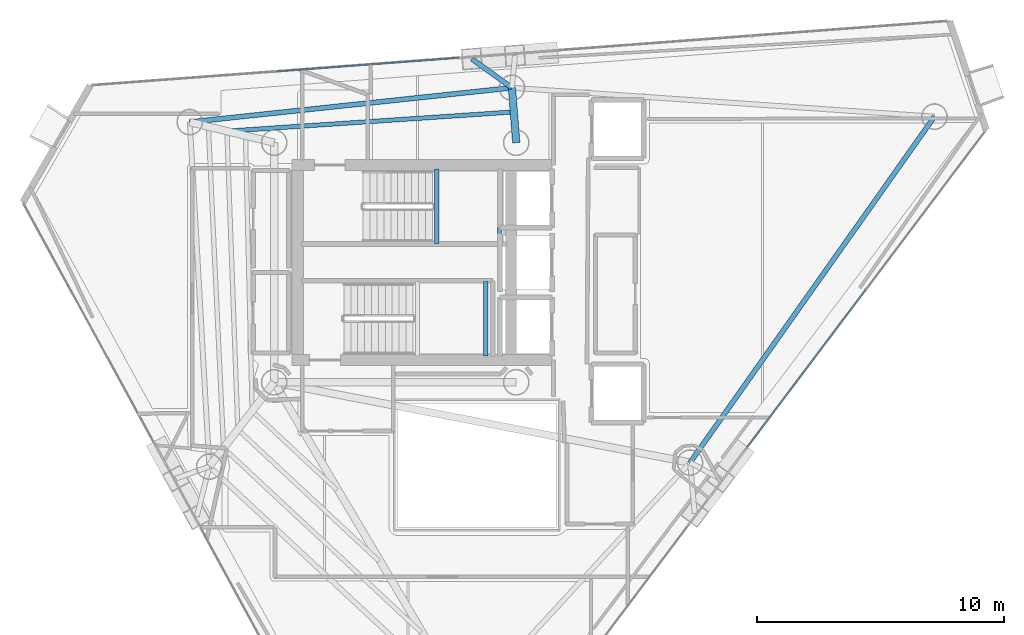
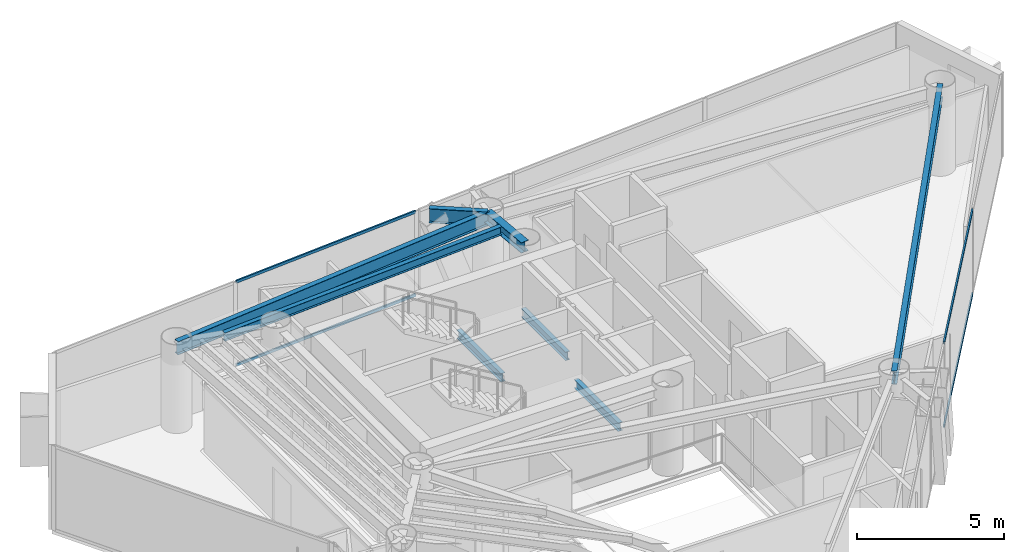
# One storey, part 9 of 19: 8 beams, 4 members, 2 elements without a shape of their own.
"""IFC4 building model written with IfcOpenShell, lengths in metres."""

from ifc_helpers import new_model, si_unit, direction, frame, origin, origin_2d, place, context, subcontext, project, spatial, hollow_rectangle, i_section, extrude, material, layer, layer_set, material_profile, profile_set, type_object, element, aggregate, save


model = new_model("IFC4")

# Units and contexts
model_context = context("Model", 3, precision=1e-05, world=origin(), true_north=direction((0.0, 1.0)))
body_context = subcontext(model_context, "Body", "Model", "MODEL_VIEW")
ifc_project = project(units=[si_unit("LENGTHUNIT", "METRE"), si_unit("AREAUNIT", "SQUARE_METRE"), si_unit("VOLUMEUNIT", "CUBIC_METRE"), si_unit("PLANEANGLEUNIT", "RADIAN"), si_unit("MASSUNIT", "GRAM", prefix="KILO")], contexts=[model_context])

# Site, building, storey
site_placement = place(None, origin())
site = spatial("IfcSite", under=ifc_project, at=site_placement, CompositionType="ELEMENT")
building_placement = place(site_placement, origin())
building = spatial("IfcBuilding", under=site, at=building_placement, Name="Qianvela Tower", CompositionType="ELEMENT")
storey_placement = place(building_placement, frame((0.0, 0.0, 268.60009765625)))
storey = spatial("IfcBuildingStorey", under=building, at=storey_placement, Name="L69", CompositionType="ELEMENT", Elevation=268.60009765625)

# Beams
ifc_material_1 = material(Name="Steel Q355B", Category="steel")
ifc_material_profile_1 = material_profile(ifc_material_1, i_section(OverallWidth=0.300048828125, OverallDepth=0.43994140625, WebThickness=0.010986328125, FlangeThickness=0.01806640625, at=origin_2d()), Name="HM440x300x11x18")
ifc_profile_set_1 = profile_set([ifc_material_profile_1], Name="Steel Q355B")
beam_type_1 = type_object("IfcBeamType", Name="BM-HM440-COLL", PredefinedType="BEAM", material=ifc_profile_set_1)
beam_1_placement = place(storey_placement, frame((38.39990234375, 33.550048828125, 3.2978515625), z_axis=(-0.078396085685, 0.996922290727, 0.0), x_axis=(-0.996922290727, -0.078396085685, 0.0)))
element("IfcBeam", 1, at=beam_1_placement, inside=storey, type_object=beam_type_1, Name="L69 Radial Primary Floor Girder 2", PredefinedType="BEAM", context=body_context, shape_type="SweptSolid", body=[
    extrude(i_section(OverallWidth=0.300048828125, OverallDepth=0.43994140625, WebThickness=0.010986328125, FlangeThickness=0.01806640625, at=origin_2d()), origin(), (0.0, 0.0, 1.0), 2.229736328125),
])
ifc_material_2 = material(Name="Steel Q355B", Category="steel")
ifc_material_profile_2 = material_profile(ifc_material_2, i_section(OverallWidth=0.175048828125, OverallDepth=0.35009765625, WebThickness=0.007080078125, FlangeThickness=0.010986328125, at=origin_2d()), Name="HN350x175x7x11")
ifc_profile_set_2 = profile_set([ifc_material_profile_2], Name="Steel Q355B")
beam_type_2 = type_object("IfcBeamType", Name="BM-HN350-JOIST", PredefinedType="JOIST", material=ifc_profile_set_2)
beam_2_placement = place(storey_placement, frame((38.15625, 34.78515625, 3.343017578125), z_axis=(-0.99776569919, -0.066810250112, 0.0), x_axis=(0.066810250112, -0.99776569919, 0.0)))
element("IfcBeam", 2, at=beam_2_placement, inside=storey, type_object=beam_type_2, Name="L69 Secondary Composite Floor Joist 2.2", PredefinedType="JOIST", context=body_context, shape_type="SweptSolid", body=[
    extrude(i_section(OverallWidth=0.175048828125, OverallDepth=0.35009765625, WebThickness=0.007080078125, FlangeThickness=0.010986328125, at=origin_2d()), origin(), (0.0, 0.0, 1.0), 11.35009765625),
])
for number, where, z_axis, x_axis, name in (
    (3, (35.179931640625, 29.4599609375, 1.474853515625), (0.0, 1.0, 0.0), (-1.0, 0.0, 0.0), "L69 Stair ST-1 Landing Support Beam 1.1"),
    (4, (37.719970703125, 29.4599609375, 1.474853515625), (0.0, 1.0, 0.0), (-1.0, 0.0, 0.0), "L69 Stair ST-1 Landing Support Beam 1.2"),
    (5, (37.169921875, 24.919921875, 1.474853515625), (0.0, 1.0, 0.0), (-1.0, 0.0, 0.0), "L69 Stair ST-2 Landing Support Beam 1.2"),
):
    element("IfcBeam", number, at=place(storey_placement, frame(where, z_axis=z_axis, x_axis=x_axis)), inside=storey, type_object=beam_type_2, Name=name, PredefinedType="JOIST", context=body_context, shape_type="SweptSolid", body=[
        extrude(i_section(OverallWidth=0.175048828125, OverallDepth=0.35009765625, WebThickness=0.007080078125, FlangeThickness=0.010986328125, at=origin_2d()), origin(), (0.0, 0.0, 1.0), 3.02001953125),
    ])
ifc_material_3 = material(Name="Steel Q355B", Category="steel")
ifc_material_profile_3 = material_profile(ifc_material_3, i_section(OverallWidth=0.199951171875, OverallDepth=0.550048828125, WebThickness=0.010009765625, FlangeThickness=0.01611328125, at=origin_2d()), Name="HN550x200x10x16")
ifc_profile_set_3 = profile_set([ifc_material_profile_3], Name="Steel Q355B")
beam_type_3 = type_object("IfcBeamType", Name="BM-HN550-GIRD", PredefinedType="BEAM", material=ifc_profile_set_3)
beam_3_placement = place(storey_placement, frame((38.22509765625, 35.77294921875, 3.242919921875), z_axis=(-0.994378160395, -0.105887081975, 0.0), x_axis=(0.105887081975, -0.994378160395, 0.0)))
element("IfcBeam", 6, at=beam_3_placement, inside=storey, type_object=beam_type_3, Name="L69 Perimeter Ring Spandrel Girder 2", PredefinedType="BEAM", context=body_context, shape_type="SweptSolid", body=[
    extrude(i_section(OverallWidth=0.199951171875, OverallDepth=0.550048828125, WebThickness=0.010009765625, FlangeThickness=0.01611328125, at=origin_2d()), origin(), (0.0, 0.0, 1.0), 13.116943359375),
])
beam_4_placement = place(storey_placement, frame((45.43603515625, 20.597900390625, 3.242919921875), z_axis=(0.577019604961, 0.816730295441, 0.0), x_axis=(-0.816730295441, 0.577019604961, 0.0)))
element("IfcBeam", 7, at=beam_4_placement, inside=storey, type_object=beam_type_3, Name="L69 Perimeter Ring Spandrel Girder 6", PredefinedType="BEAM", context=body_context, shape_type="SweptSolid", body=[
    extrude(i_section(OverallWidth=0.199951171875, OverallDepth=0.550048828125, WebThickness=0.010009765625, FlangeThickness=0.01611328125, at=origin_2d()), origin(), (0.0, 0.0, 1.0), 17.150146484375),
])
ifc_material_4 = material(Name="Steel Q355B", Category="steel")
ifc_material_profile_4 = material_profile(ifc_material_4, i_section(OverallWidth=0.199951171875, OverallDepth=0.60009765625, WebThickness=0.010986328125, FlangeThickness=0.01708984375, at=origin_2d()), Name="HN600x200x11x17")
ifc_profile_set_4 = profile_set([ifc_material_profile_4], Name="Steel Q355B")
beam_type_4 = type_object("IfcBeamType", Name="BM-HN600-GIRD", PredefinedType="BEAM", material=ifc_profile_set_4)
beam_5_placement = place(storey_placement, frame((38.22509765625, 35.77294921875, 3.218017578125), z_axis=(-0.811032519368, 0.585001070536, 0.0), x_axis=(-0.585001070536, -0.811032519368, 0.0)))
element("IfcBeam", 8, at=beam_5_placement, inside=storey, type_object=beam_type_4, Name="L69 Mega-Brace Column Tie Bracket F1-2", PredefinedType="BEAM", context=body_context, shape_type="SweptSolid", body=[
    extrude(i_section(OverallWidth=0.199951171875, OverallDepth=0.60009765625, WebThickness=0.010986328125, FlangeThickness=0.01708984375, at=origin_2d()), origin(), (0.0, 0.0, 1.0), 2.003662109375),
])

# Curtain wall, members
ifc_material_5 = material(Name="Anodised Architectural Aluminium and Low-E Glass", Category="aluminium")
ifc_layer = layer(ifc_material_5, 0.159912109375)
ifc_layer_set = layer_set([ifc_layer], Name="Anodised Architectural Aluminium and Low-E Glass")
curtain_wall_type = type_object("IfcCurtainWallType", Name="CW-COLIV-Z56", PredefinedType="USERDEFINED", material=ifc_layer_set)
curtain_wall_1_placement = place(storey_placement, origin())
curtain_wall_1 = element("IfcCurtainWall", 9, at=curtain_wall_1_placement, inside=storey, type_object=curtain_wall_type, Name="L69 CW-COLIV-Z56 Curtain Wall 02C", ObjectType="CURTAIN_WALL_SYSTEM", PredefinedType="USERDEFINED")
ifc_material_6 = material(Name="Anodised Architectural Aluminium 6063-T6", Category="aluminium")
ifc_material_profile_5 = material_profile(ifc_material_6, hollow_rectangle(XDim=0.06005859375, YDim=0.114990234375, WallThickness=0.00390625, at=origin_2d()), Name="ALU-TRAN-60x115")
ifc_profile_set_5 = profile_set([ifc_material_profile_5], Name="Anodised Architectural Aluminium 6063-T6")
member_type = type_object("IfcMemberType", Name="CW-COLIV-Z56-TRAN", PredefinedType="USERDEFINED", material=ifc_profile_set_5)
member_1_placement = place(storey_placement, frame((36.0712890625, 36.985595703125, 0.02978515625), z_axis=(-0.997202325516, -0.074749728999, 0.0), x_axis=(0.074749728999, -0.997202325516, 0.0)))
member_1 = element("IfcMember", 10, at=member_1_placement, type_object=member_type, Name="CW-5 transom 1.1", ObjectType="TRANSOM", PredefinedType="USERDEFINED", context=body_context, shape_type="SweptSolid", body=[
    extrude(hollow_rectangle(XDim=0.06005859375, YDim=0.114990234375, WallThickness=0.00390625, at=origin_2d()), origin(), (0.0, 0.0, 1.0), 7.39453125),
])
member_2_placement = place(storey_placement, frame((36.0712890625, 36.985595703125, 3.489990234375), z_axis=(-0.997202325516, -0.074749728999, 0.0), x_axis=(0.074749728999, -0.997202325516, 0.0)))
member_2 = element("IfcMember", 11, at=member_2_placement, type_object=member_type, Name="CW-5 transom 1.2", ObjectType="TRANSOM", PredefinedType="USERDEFINED", context=body_context, shape_type="SweptSolid", body=[
    extrude(hollow_rectangle(XDim=0.06005859375, YDim=0.114990234375, WallThickness=0.00390625, at=origin_2d()), origin(), (0.0, 0.0, 1.0), 7.39453125),
])
aggregate(curtain_wall_1, [member_1, member_2])

curtain_wall_2_placement = place(storey_placement, origin())
curtain_wall_2 = element("IfcCurtainWall", 12, at=curtain_wall_2_placement, inside=storey, type_object=curtain_wall_type, Name="L69 CW-COLIV-Z56 Curtain Wall 06C", ObjectType="CURTAIN_WALL_SYSTEM", PredefinedType="USERDEFINED")
member_3_placement = place(storey_placement, frame((47.76171875, 21.236572265625, 0.02978515625), z_axis=(0.601905906981, 0.798567016062, 0.0), x_axis=(-0.798567016062, 0.601905906981, 0.0)))
member_3 = element("IfcMember", 13, at=member_3_placement, type_object=member_type, Name="CW-5 transom 1.1", ObjectType="TRANSOM", PredefinedType="USERDEFINED", context=body_context, shape_type="SweptSolid", body=[
    extrude(hollow_rectangle(XDim=0.06005859375, YDim=0.114990234375, WallThickness=0.00390625, at=origin_2d()), origin(), (0.0, 0.0, 1.0), 7.945068359375),
])
member_4_placement = place(storey_placement, frame((47.76171875, 21.236572265625, 3.489990234375), z_axis=(0.601905906981, 0.798567016062, 0.0), x_axis=(-0.798567016062, 0.601905906981, 0.0)))
member_4 = element("IfcMember", 14, at=member_4_placement, type_object=member_type, Name="CW-5 transom 1.2", ObjectType="TRANSOM", PredefinedType="USERDEFINED", context=body_context, shape_type="SweptSolid", body=[
    extrude(hollow_rectangle(XDim=0.06005859375, YDim=0.114990234375, WallThickness=0.00390625, at=origin_2d()), origin(), (0.0, 0.0, 1.0), 7.945068359375),
])
aggregate(curtain_wall_2, [member_3, member_4])

save(model, "model.ifc")
